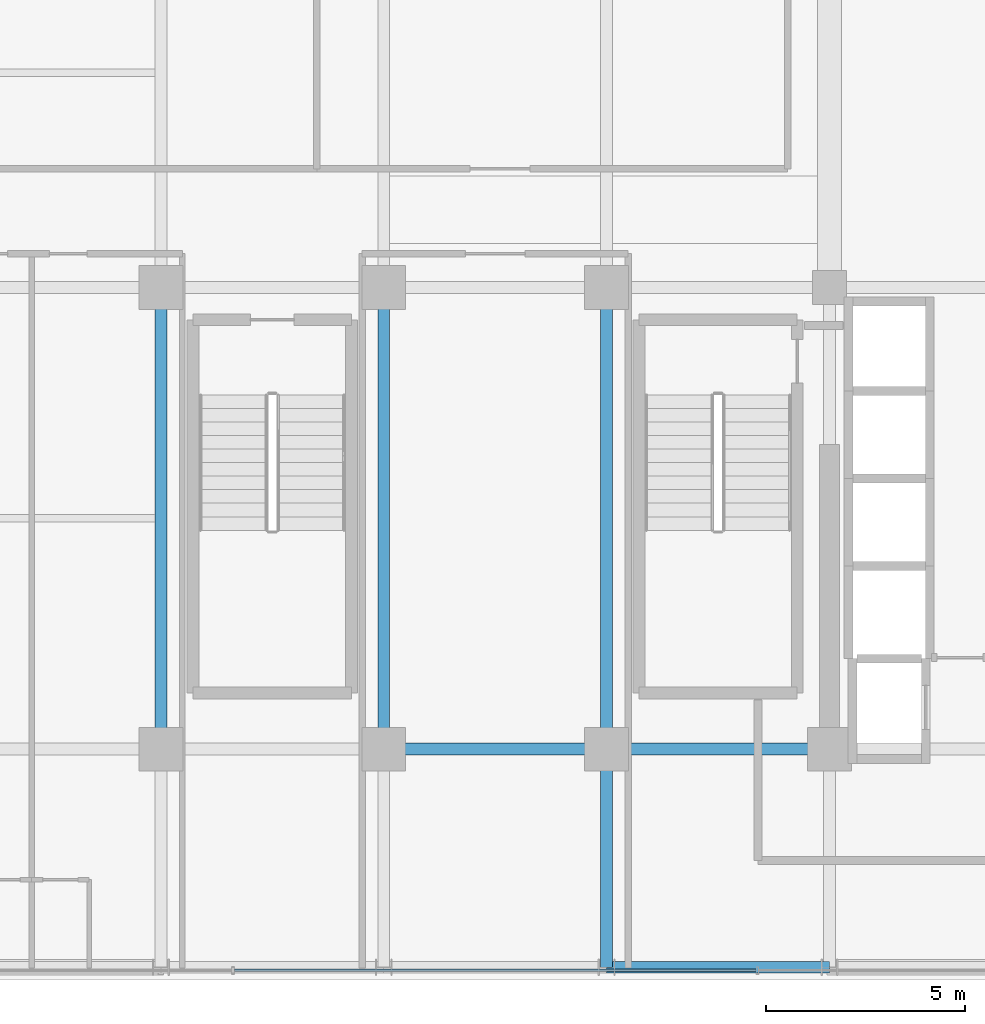
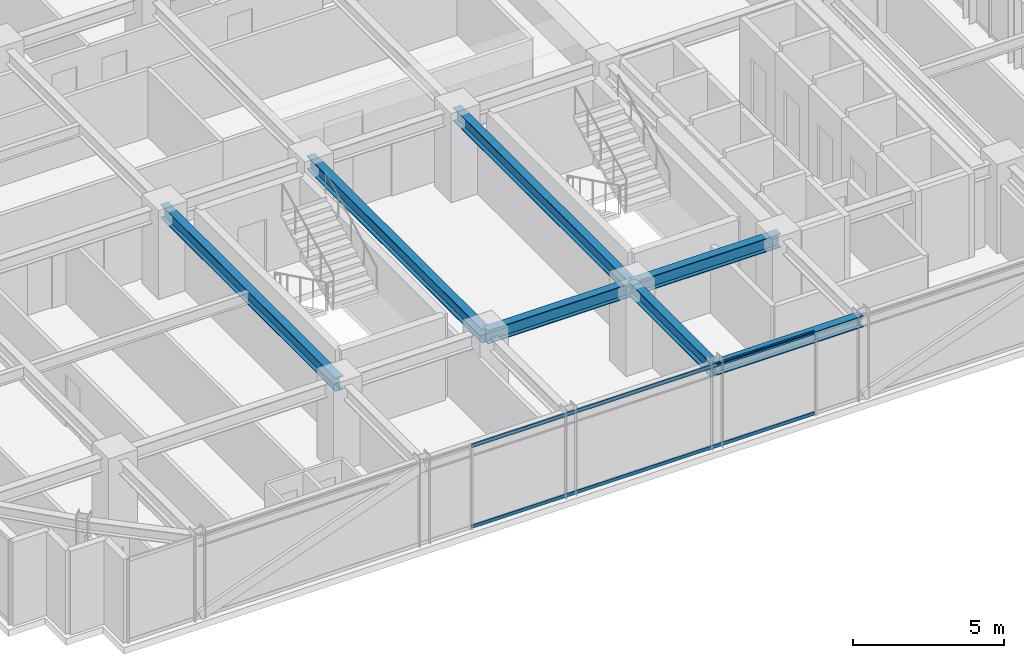
# One storey, part 5 of 32: 7 beams, 2 members, 1 element without a shape of its own.
"""IFC4 building model written with IfcOpenShell, lengths in metres."""

import ifcopenshell
import ifcopenshell.guid

model = None  # the IFC model being written
_history = None  # IfcOwnerHistory: only IFC2X3 demands one
_inside = {}  # id of a spatial element -> (the spatial element, [elements in it])
_under = {}  # id of a project, library or spatial element -> (it, [spatial elements below it])
_declared = {}  # id of a project -> (the project, [libraries it declares])
_typed = {}  # id of a type object -> (the type object, [elements of that type])
_made_of = {}  # id of a material, layer set ... -> (it, [elements and type objects made of it])


def new_model(schema):
    """Start an empty IFC model of exactly this schema.

    Asked for "IFC4X3", IfcOpenShell would pick the latest addendum, in which some entities
    have other attributes; the version numbers below select the first issue.
    IFC2X3 requires an IfcOwnerHistory on every rooted entity: one is made here for all.
    """
    global model, _history
    if schema == "IFC4X3":
        model = ifcopenshell.file(schema_version=(4, 3, 0, 0))
    else:
        model = ifcopenshell.file(schema=schema)
    _inside.clear()
    _under.clear()
    _declared.clear()
    _typed.clear()
    _made_of.clear()
    _history = None
    if model.schema == "IFC2X3":
        org = make("IfcOrganization", Name="unknown")
        user = make(
            "IfcPersonAndOrganization",
            ThePerson=make("IfcPerson", FamilyName="unknown"),
            TheOrganization=org,
        )
        app = make(
            "IfcApplication",
            ApplicationDeveloper=org,
            Version="unknown",
            ApplicationFullName="unknown",
            ApplicationIdentifier="unknown",
        )
        _history = make(
            "IfcOwnerHistory",
            OwningUser=user,
            OwningApplication=app,
            ChangeAction="ADDED",
            CreationDate=0,
        )
    return model


def make(cls, **values):
    """One entity of the class cls with the attributes given. An attribute that is None is left unset."""
    return model.create_entity(
        cls, **{name: value for name, value in values.items() if value is not None}
    )


def rooted(cls, **values):
    """An entity with a GlobalId (a new one), such as an element, a storey or a relation."""
    return make(cls, GlobalId=ifcopenshell.guid.new(), OwnerHistory=_history, **values)


def si_unit(unit_type, name, prefix=None):
    """IfcSIUnit, for example si_unit("LENGTHUNIT", "METRE", prefix="MILLI")."""
    return make("IfcSIUnit", UnitType=unit_type, Prefix=prefix, Name=name)


def assignment(units):
    """IfcUnitAssignment: the units of a project."""
    return None if units is None else make("IfcUnitAssignment", Units=units)


def point(xyz):
    """IfcCartesianPoint."""
    return None if xyz is None else make("IfcCartesianPoint", Coordinates=xyz)


def direction(xyz):
    """IfcDirection."""
    return None if xyz is None else make("IfcDirection", DirectionRatios=xyz)


def frame(location, z_axis=None, x_axis=None):
    """IfcAxis2Placement3D, a coordinate frame: its origin and axes. An axis left out is left unset."""
    return make(
        "IfcAxis2Placement3D",
        Location=point(location),
        Axis=direction(z_axis),
        RefDirection=direction(x_axis),
    )


def frame_2d(location, x_axis=None):
    """IfcAxis2Placement2D, a coordinate frame in the plane: its origin and x axis."""
    return make(
        "IfcAxis2Placement2D", Location=point(location), RefDirection=direction(x_axis)
    )


def origin():
    """The frame at (0, 0, 0) with its axes left unset."""
    return frame((0.0, 0.0, 0.0))


def origin_2d():
    """The frame at (0, 0) in the plane with its x axis left unset."""
    return frame_2d((0.0, 0.0))


def place(relative_to, where):
    """IfcLocalPlacement: puts the frame where relative to a parent placement (None: the world)."""
    return make(
        "IfcLocalPlacement", PlacementRelTo=relative_to, RelativePlacement=where
    )


def context(
    kind, dimensions, precision=None, world=None, true_north=None, identifier=None
):
    """IfcGeometricRepresentationContext, for example the 3D "Model" context."""
    return make(
        "IfcGeometricRepresentationContext",
        ContextIdentifier=identifier,
        ContextType=kind,
        CoordinateSpaceDimension=dimensions,
        Precision=precision,
        WorldCoordinateSystem=world,
        TrueNorth=true_north,
    )


def subcontext(parent, identifier, kind, view, scale=None):
    """IfcGeometricRepresentationSubContext, for example "Body" below "Model"."""
    return make(
        "IfcGeometricRepresentationSubContext",
        ContextIdentifier=identifier,
        ContextType=kind,
        ParentContext=parent,
        TargetScale=scale,
        TargetView=view,
    )


def project(units=None, contexts=None):
    """IfcProject with its units and contexts."""
    return rooted(
        "IfcProject",
        Name="project",
        RepresentationContexts=contexts,
        UnitsInContext=assignment(units),
    )


def spatial(cls, under=None, at=None, **own):
    """A site, building, storey or space (cls), placed at a placement, below another one or the project."""
    s = rooted(cls, ObjectPlacement=at, **own)
    if under is not None:
        _under.setdefault(under.id(), (under, []))[1].append(s)
    return s


def profile(cls, at=None, kind="AREA", **sizes):
    """A parametric profile (cls). Its sizes go by their IFC names, for example OverallWidth=200.0."""
    return make(cls, ProfileType=kind, Position=at, **sizes)


def hollow_rectangle(**sizes):
    """IfcRectangleHollowProfileDef."""
    return profile("IfcRectangleHollowProfileDef", **sizes)


def i_section(**sizes):
    """IfcIShapeProfileDef."""
    return profile("IfcIShapeProfileDef", **sizes)


def extrude(swept, where, along, depth):
    """IfcExtrudedAreaSolid: the profile swept, set in the frame where, extruded along a direction by depth."""
    return make(
        "IfcExtrudedAreaSolid",
        SweptArea=swept,
        Position=where,
        ExtrudedDirection=direction(along),
        Depth=depth,
    )


def shape(context_of_items, identifier, shape_type, items):
    """IfcShapeRepresentation: the items that make up one representation, for example the "Body"."""
    return make(
        "IfcShapeRepresentation",
        ContextOfItems=context_of_items,
        RepresentationIdentifier=identifier,
        RepresentationType=shape_type,
        Items=items,
    )


def source(mapping_origin, context_of_items, identifier, shape_type, items):
    """IfcRepresentationMap: a shape defined once, which mapped items show again and again."""
    return make(
        "IfcRepresentationMap",
        MappingOrigin=mapping_origin,
        MappedRepresentation=shape(context_of_items, identifier, shape_type, items),
    )


def transform(
    local_origin,
    x_axis=None,
    y_axis=None,
    z_axis=None,
    scale=None,
    scale2=None,
    scale3=None,
    uniform=True,
):
    """IfcCartesianTransformationOperator3D, or its non-uniform kind. x_axis, y_axis, z_axis: its Axis1, 2, 3."""
    if uniform:
        return make(
            "IfcCartesianTransformationOperator3D",
            Axis1=direction(x_axis),
            Axis2=direction(y_axis),
            LocalOrigin=point(local_origin),
            Scale=scale,
            Axis3=direction(z_axis),
        )
    return make(
        "IfcCartesianTransformationOperator3DnonUniform",
        Axis1=direction(x_axis),
        Axis2=direction(y_axis),
        LocalOrigin=point(local_origin),
        Scale=scale,
        Axis3=direction(z_axis),
        Scale2=scale2,
        Scale3=scale3,
    )


def mapped(mapping_source, mapping_target):
    """IfcMappedItem: shows the shape of a source again, moved by a transform."""
    return make(
        "IfcMappedItem", MappingSource=mapping_source, MappingTarget=mapping_target
    )


def material(Name=None, Category=None):
    """IfcMaterial."""
    return make("IfcMaterial", Name=Name, Category=Category)


def material_profile(
    of_material, cross_section, Name=None, Category=None, Priority=None
):
    """IfcMaterialProfile: a cross section and its material."""
    return make(
        "IfcMaterialProfile",
        Name=Name,
        Material=of_material,
        Profile=cross_section,
        Priority=Priority,
        Category=Category,
    )


def profile_set(profiles, Name=None, composite=None):
    """IfcMaterialProfileSet."""
    return make(
        "IfcMaterialProfileSet",
        Name=Name,
        MaterialProfiles=profiles,
        CompositeProfile=composite,
    )


def made_of(thing, what):
    """Note that an element or type object is made of a material, layer set ...; save() writes the relation."""
    if what is not None:
        _made_of.setdefault(what.id(), (what, []))[1].append(thing)
    return thing


def type_object(cls, material=None, **own):
    """A type object (cls), such as IfcWallType, which elements share."""
    return made_of(rooted(cls, **own), material)


def element(
    cls,
    number,
    at=None,
    inside=None,
    cuts=None,
    type_object=None,
    material=None,
    context=None,
    identifier="Body",
    shape_type=None,
    held_by="IfcProductDefinitionShape",
    body=None,
    shapes=None,
    **own,
):
    """One element of the class cls, such as IfcWall. Its Tag is "e" and its number.

    at: its placement. inside: the storey or other place that contains it. cuts: it is an
    opening in that element (IfcRelVoidsElement). A single representation is given by context,
    identifier, shape_type and body (its items); several are given by shapes. held_by: the class
    of the entity that holds the representations. save() writes the other relations.
    """
    e = rooted(cls, Tag="e%d" % number, ObjectPlacement=at, **own)
    if body is not None:
        shapes = [shape(context, identifier, shape_type, body)]
    if shapes is not None:
        e.Representation = make(held_by, Representations=shapes)
    if inside is not None:
        _inside.setdefault(inside.id(), (inside, []))[1].append(e)
    if cuts is not None:
        rooted(
            "IfcRelVoidsElement", RelatingBuildingElement=cuts, RelatedOpeningElement=e
        )
    if type_object is not None:
        _typed.setdefault(type_object.id(), (type_object, []))[1].append(e)
    return made_of(e, material)


def aggregate(whole, parts):
    """IfcRelAggregates: a whole, such as a stair, and the parts it consists of."""
    return rooted("IfcRelAggregates", RelatingObject=whole, RelatedObjects=parts)


def save(model, path):
    """Write the relations noted so far, then the file.

    IfcRelAggregates (storeys below a building ...), IfcRelContainedInSpatialStructure (elements
    in a storey), IfcRelDefinesByType, IfcRelAssociatesMaterial and IfcRelDeclares: one each for
    every whole, place, type object, material and project.
    """
    for whole, parts in _under.values():
        aggregate(whole, parts)
    for where, things in _inside.values():
        rooted(
            "IfcRelContainedInSpatialStructure",
            RelatedElements=things,
            RelatingStructure=where,
        )
    for kind, things in _typed.values():
        rooted("IfcRelDefinesByType", RelatedObjects=things, RelatingType=kind)
    for what, things in _made_of.values():
        rooted("IfcRelAssociatesMaterial", RelatedObjects=things, RelatingMaterial=what)
    for by, libraries in _declared.values():
        rooted("IfcRelDeclares", RelatingContext=by, RelatedDefinitions=libraries)
    model.write(path)


model = new_model("IFC4")

# Units and contexts
model_context = context("Model", 3, precision=1e-05, world=origin(), true_north=direction((0.0, 1.0)))
body_context = subcontext(model_context, "Body", "Model", "MODEL_VIEW")
ifc_project = project(units=[si_unit("LENGTHUNIT", "METRE"), si_unit("AREAUNIT", "SQUARE_METRE"), si_unit("VOLUMEUNIT", "CUBIC_METRE"), si_unit("PLANEANGLEUNIT", "RADIAN"), si_unit("MASSUNIT", "GRAM", prefix="KILO")], contexts=[model_context])

# Site, building, storey
site_placement = place(None, origin())
site = spatial("IfcSite", under=ifc_project, at=site_placement, CompositionType="ELEMENT")
building_placement = place(site_placement, origin())
building = spatial("IfcBuilding", under=site, at=building_placement, Name="Nahalor Promenade Grand Hotel", CompositionType="ELEMENT")
storey_placement = place(building_placement, frame((0.0, 0.0, 152.64990234375)))
storey = spatial("IfcBuildingStorey", under=building, at=storey_placement, Name="L38", CompositionType="ELEMENT", Elevation=152.64990234375)

# Beams
ifc_material_1 = material(Name="Steel S355JR", Category="steel")
ifc_material_profile_1 = material_profile(ifc_material_1, i_section(OverallWidth=0.3, OverallDepth=0.55, WebThickness=0.015, FlangeThickness=0.029, at=origin_2d()), Name="HEB 550")
ifc_profile_set_1 = profile_set([ifc_material_profile_1], Name="Steel S355JR")
beam_type_1 = type_object("IfcBeamType", Name="Beam-Girder-HEB550", PredefinedType="BEAM", material=ifc_profile_set_1)
shared_shape_1 = source(origin(), body_context, "Body", "SweptSolid", [
    extrude(i_section(OverallWidth=0.3, OverallDepth=0.55, WebThickness=0.015, FlangeThickness=0.029, at=origin_2d()), origin(), (0.0, 0.0, 1.0), 5.599853515625),
])
beam_1_placement = place(storey_placement, frame((2.800048828125, -17.0, 3.114990234375), z_axis=(1.0, 0.0, 0.0), x_axis=(0.0, 1.0, 0.0)))
element("IfcBeam", 1, at=beam_1_placement, inside=storey, type_object=beam_type_1, Name="BM-L38-GX-0-4", PredefinedType="BEAM", context=body_context, shape_type="MappedRepresentation", body=[
    mapped(shared_shape_1, transform((0.0, 0.0, 0.0), scale=1.0)),
])
shared_shape_2 = source(origin(), body_context, "Body", "SweptSolid", [
    extrude(i_section(OverallWidth=0.3, OverallDepth=0.55, WebThickness=0.015, FlangeThickness=0.029, at=origin_2d()), origin(), (0.0, 0.0, 1.0), 5.60009765625),
])
beam_2_placement = place(storey_placement, frame((-2.800048828125, -17.0, 3.114990234375), z_axis=(1.0, 0.0, 0.0), x_axis=(0.0, 1.0, 0.0)))
element("IfcBeam", 2, at=beam_2_placement, inside=storey, type_object=beam_type_1, Name="BM-L38-GX-0-3", PredefinedType="BEAM", context=body_context, shape_type="MappedRepresentation", body=[
    mapped(shared_shape_2, transform((0.0, 0.0, 0.0), scale=1.0)),
])
shared_shape_3 = source(origin(), body_context, "Body", "SweptSolid", [
    extrude(i_section(OverallWidth=0.3, OverallDepth=0.55, WebThickness=0.015, FlangeThickness=0.029, at=origin_2d()), origin(), (0.0, 0.0, 1.0), 11.60009765625),
])
for number, where, z_axis, x_axis, name in (
    (3, (-8.39990234375, -17.0, 3.114990234375), (0.0, 1.0, 0.0), (-1.0, 0.0, 0.0), "BM-L38-GY-1-1"),
    (4, (-2.800048828125, -17.0, 3.114990234375), (0.0, 1.0, 0.0), (-1.0, 0.0, 0.0), "BM-L38-GY-2-1"),
    (5, (2.800048828125, -17.0, 3.114990234375), (0.0, 1.0, 0.0), (-1.0, 0.0, 0.0), "BM-L38-GY-3-1"),
):
    element("IfcBeam", number, at=place(storey_placement, frame(where, z_axis=z_axis, x_axis=x_axis)), inside=storey, type_object=beam_type_1, Name=name, PredefinedType="BEAM", context=body_context, shape_type="MappedRepresentation", body=[
        mapped(shared_shape_3, transform((0.0, 0.0, 0.0), scale=1.0)),
    ])
shared_shape_4 = source(origin(), body_context, "Body", "SweptSolid", [
    extrude(i_section(OverallWidth=0.3, OverallDepth=0.55, WebThickness=0.015, FlangeThickness=0.029, at=origin_2d()), origin(), (0.0, 0.0, 1.0), 5.47998046875),
])
beam_3_placement = place(storey_placement, frame((2.800048828125, -22.47998046875, 3.114990234375), z_axis=(0.0, 1.0, 0.0), x_axis=(-1.0, 0.0, 0.0)))
element("IfcBeam", 6, at=beam_3_placement, inside=storey, type_object=beam_type_1, Name="BM-L38-GY-3-0", PredefinedType="BEAM", context=body_context, shape_type="MappedRepresentation", body=[
    mapped(shared_shape_4, transform((0.0, 0.0, 0.0), scale=1.0)),
])
ifc_material_profile_2 = material_profile(ifc_material_1, i_section(OverallWidth=0.3, OverallDepth=0.45, WebThickness=0.014, FlangeThickness=0.026, at=origin_2d()), Name="HEB 450")
ifc_profile_set_2 = profile_set([ifc_material_profile_2], Name="Steel S355JR")
beam_type_2 = type_object("IfcBeamType", Name="Beam-Spandrel-HEB450", PredefinedType="SPANDREL", material=ifc_profile_set_2)
shared_shape_5 = source(origin(), body_context, "Body", "SweptSolid", [
    extrude(i_section(OverallWidth=0.3, OverallDepth=0.45, WebThickness=0.014, FlangeThickness=0.026, at=origin_2d()), origin(), (0.0, 0.0, 1.0), 5.599853515625),
])
beam_4_placement = place(storey_placement, frame((2.800048828125, -22.47998046875, 3.1650390625), z_axis=(1.0, 0.0, 0.0), x_axis=(0.0, 1.0, 0.0)))
element("IfcBeam", 7, at=beam_4_placement, inside=storey, type_object=beam_type_2, Name="BM-L38-SP-S-3", PredefinedType="SPANDREL", context=body_context, shape_type="MappedRepresentation", body=[
    mapped(shared_shape_5, transform((0.0, 0.0, 0.0), scale=1.0)),
])

# Curtain wall, members
ifc_material_2 = material(Name="Anodised Bronze Aluminium EN AW-6063 T6", Category="aluminium")
curtain_wall_type = type_object("IfcCurtainWallType", Name="CW2 Typical Hotel Flush Bronze Unitised Curtain Wall", PredefinedType="USERDEFINED", material=ifc_material_2)
curtain_wall_placement = place(storey_placement, origin())
curtain_wall = element("IfcCurtainWall", 8, at=curtain_wall_placement, inside=storey, type_object=curtain_wall_type, Name="L38 Curtain Wall CW-L38-S-1", ObjectType="UNITISED_CURTAIN_WALL", PredefinedType="USERDEFINED")
ifc_material_profile_3 = material_profile(ifc_material_2, hollow_rectangle(XDim=0.065, YDim=0.13, WallThickness=0.004, at=origin_2d()), Name="CWT 65x130x4")
ifc_profile_set_3 = profile_set([ifc_material_profile_3], Name="Anodised Bronze Aluminium EN AW-6063 T6")
member_type = type_object("IfcMemberType", Name="CWT2 Typical Bronze Transom 65x130", PredefinedType="USERDEFINED", material=ifc_profile_set_3)
shared_shape_6 = source(origin(), body_context, "Body", "SweptSolid", [
    extrude(hollow_rectangle(XDim=0.065, YDim=0.13, WallThickness=0.004, at=origin_2d()), origin(), (0.0, 0.0, 1.0), 13.1083984375),
])
member_1_placement = place(storey_placement, frame((-6.55419921875, -22.56005859375, 0.065185546875), z_axis=(1.0, 0.0, 0.0), x_axis=(0.0, 1.0, 0.0)))
member_1 = element("IfcMember", 9, at=member_1_placement, type_object=member_type, Name="CW-L38-S-1 Transom 1-0", ObjectType="TRANSOM", PredefinedType="USERDEFINED", context=body_context, shape_type="MappedRepresentation", body=[
    mapped(shared_shape_6, transform((0.0, 0.0, 0.0), scale=1.0)),
])
member_2_placement = place(storey_placement, frame((-6.55419921875, -22.56005859375, 3.3251953125), z_axis=(1.0, 0.0, 0.0), x_axis=(0.0, 1.0, 0.0)))
member_2 = element("IfcMember", 10, at=member_2_placement, type_object=member_type, Name="CW-L38-S-1 Transom 1-1", ObjectType="TRANSOM", PredefinedType="USERDEFINED", context=body_context, shape_type="MappedRepresentation", body=[
    mapped(shared_shape_6, transform((0.0, 0.0, 0.0), scale=1.0)),
])
aggregate(curtain_wall, [member_1, member_2])

save(model, "model.ifc")
